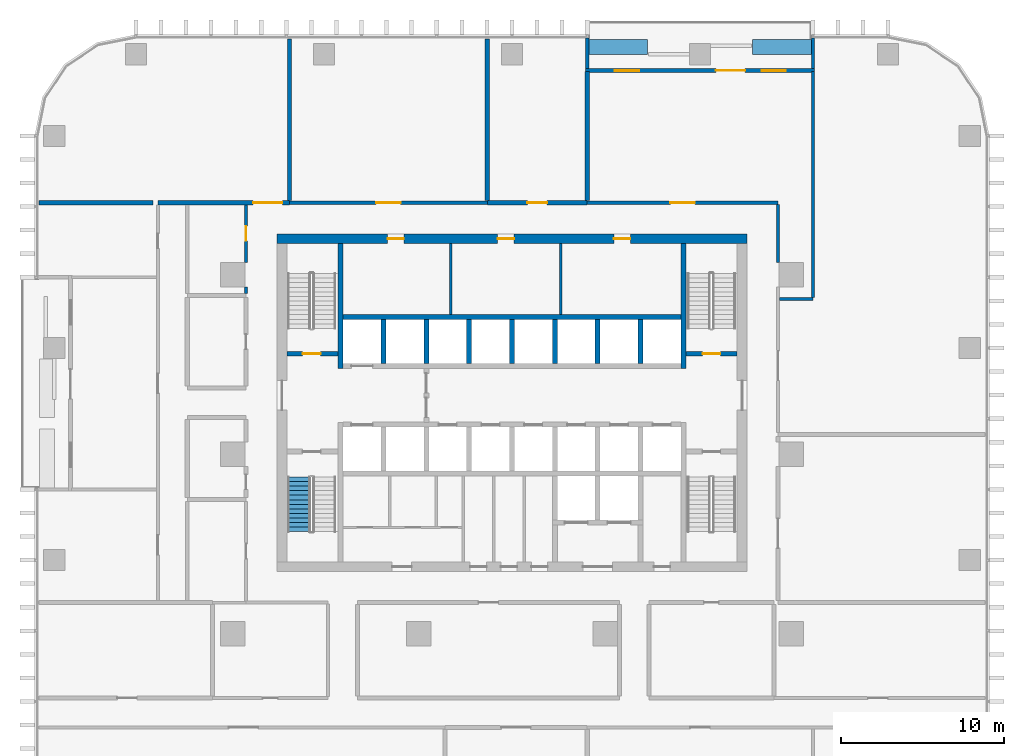
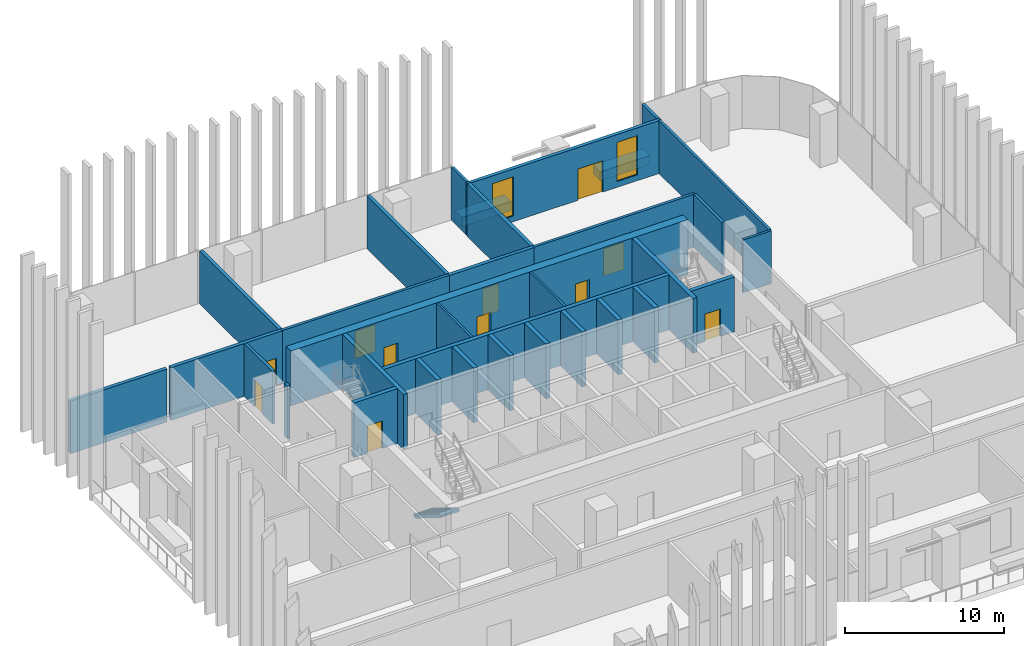
# One storey, part 10 of 17: 33 walls, 11 doors, 2 windows, 1 stair flight, 13 openings, 1 element without a shape of its own.
"""IFC4 building model written with IfcOpenShell, lengths in metres."""

import ifcopenshell
import ifcopenshell.guid

model = None  # the IFC model being written
_history = None  # IfcOwnerHistory: only IFC2X3 demands one
_inside = {}  # id of a spatial element -> (the spatial element, [elements in it])
_under = {}  # id of a project, library or spatial element -> (it, [spatial elements below it])
_declared = {}  # id of a project -> (the project, [libraries it declares])
_typed = {}  # id of a type object -> (the type object, [elements of that type])
_made_of = {}  # id of a material, layer set ... -> (it, [elements and type objects made of it])


def new_model(schema):
    """Start an empty IFC model of exactly this schema.

    Asked for "IFC4X3", IfcOpenShell would pick the latest addendum, in which some entities
    have other attributes; the version numbers below select the first issue.
    IFC2X3 requires an IfcOwnerHistory on every rooted entity: one is made here for all.
    """
    global model, _history
    if schema == "IFC4X3":
        model = ifcopenshell.file(schema_version=(4, 3, 0, 0))
    else:
        model = ifcopenshell.file(schema=schema)
    _inside.clear()
    _under.clear()
    _declared.clear()
    _typed.clear()
    _made_of.clear()
    _history = None
    if model.schema == "IFC2X3":
        org = make("IfcOrganization", Name="unknown")
        user = make(
            "IfcPersonAndOrganization",
            ThePerson=make("IfcPerson", FamilyName="unknown"),
            TheOrganization=org,
        )
        app = make(
            "IfcApplication",
            ApplicationDeveloper=org,
            Version="unknown",
            ApplicationFullName="unknown",
            ApplicationIdentifier="unknown",
        )
        _history = make(
            "IfcOwnerHistory",
            OwningUser=user,
            OwningApplication=app,
            ChangeAction="ADDED",
            CreationDate=0,
        )
    return model


def make(cls, **values):
    """One entity of the class cls with the attributes given. An attribute that is None is left unset."""
    return model.create_entity(
        cls, **{name: value for name, value in values.items() if value is not None}
    )


def rooted(cls, **values):
    """An entity with a GlobalId (a new one), such as an element, a storey or a relation."""
    return make(cls, GlobalId=ifcopenshell.guid.new(), OwnerHistory=_history, **values)


def si_unit(unit_type, name, prefix=None):
    """IfcSIUnit, for example si_unit("LENGTHUNIT", "METRE", prefix="MILLI")."""
    return make("IfcSIUnit", UnitType=unit_type, Prefix=prefix, Name=name)


def assignment(units):
    """IfcUnitAssignment: the units of a project."""
    return None if units is None else make("IfcUnitAssignment", Units=units)


def point(xyz):
    """IfcCartesianPoint."""
    return None if xyz is None else make("IfcCartesianPoint", Coordinates=xyz)


def direction(xyz):
    """IfcDirection."""
    return None if xyz is None else make("IfcDirection", DirectionRatios=xyz)


def frame(location, z_axis=None, x_axis=None):
    """IfcAxis2Placement3D, a coordinate frame: its origin and axes. An axis left out is left unset."""
    return make(
        "IfcAxis2Placement3D",
        Location=point(location),
        Axis=direction(z_axis),
        RefDirection=direction(x_axis),
    )


def frame_2d(location, x_axis=None):
    """IfcAxis2Placement2D, a coordinate frame in the plane: its origin and x axis."""
    return make(
        "IfcAxis2Placement2D", Location=point(location), RefDirection=direction(x_axis)
    )


def origin():
    """The frame at (0, 0, 0) with its axes left unset."""
    return frame((0.0, 0.0, 0.0))


def place(relative_to, where):
    """IfcLocalPlacement: puts the frame where relative to a parent placement (None: the world)."""
    return make(
        "IfcLocalPlacement", PlacementRelTo=relative_to, RelativePlacement=where
    )


def context(
    kind, dimensions, precision=None, world=None, true_north=None, identifier=None
):
    """IfcGeometricRepresentationContext, for example the 3D "Model" context."""
    return make(
        "IfcGeometricRepresentationContext",
        ContextIdentifier=identifier,
        ContextType=kind,
        CoordinateSpaceDimension=dimensions,
        Precision=precision,
        WorldCoordinateSystem=world,
        TrueNorth=true_north,
    )


def subcontext(parent, identifier, kind, view, scale=None):
    """IfcGeometricRepresentationSubContext, for example "Body" below "Model"."""
    return make(
        "IfcGeometricRepresentationSubContext",
        ContextIdentifier=identifier,
        ContextType=kind,
        ParentContext=parent,
        TargetScale=scale,
        TargetView=view,
    )


def project(units=None, contexts=None):
    """IfcProject with its units and contexts."""
    return rooted(
        "IfcProject",
        Name="project",
        RepresentationContexts=contexts,
        UnitsInContext=assignment(units),
    )


def spatial(cls, under=None, at=None, **own):
    """A site, building, storey or space (cls), placed at a placement, below another one or the project."""
    s = rooted(cls, ObjectPlacement=at, **own)
    if under is not None:
        _under.setdefault(under.id(), (under, []))[1].append(s)
    return s


def polyline(points):
    """IfcPolyline through the points."""
    return make("IfcPolyline", Points=[point(p) for p in points])


def profile(cls, at=None, kind="AREA", **sizes):
    """A parametric profile (cls). Its sizes go by their IFC names, for example OverallWidth=200.0."""
    return make(cls, ProfileType=kind, Position=at, **sizes)


def rectangle(**sizes):
    """IfcRectangleProfileDef."""
    return profile("IfcRectangleProfileDef", **sizes)


def outline(outer, holes=None, kind="AREA"):
    """IfcArbitraryClosedProfileDef: a profile drawn as a closed curve; with holes, ...WithVoids."""
    if holes is None:
        return make("IfcArbitraryClosedProfileDef", ProfileType=kind, OuterCurve=outer)
    return make(
        "IfcArbitraryProfileDefWithVoids",
        ProfileType=kind,
        OuterCurve=outer,
        InnerCurves=holes,
    )


def extrude(swept, where, along, depth):
    """IfcExtrudedAreaSolid: the profile swept, set in the frame where, extruded along a direction by depth."""
    return make(
        "IfcExtrudedAreaSolid",
        SweptArea=swept,
        Position=where,
        ExtrudedDirection=direction(along),
        Depth=depth,
    )


def shape(context_of_items, identifier, shape_type, items):
    """IfcShapeRepresentation: the items that make up one representation, for example the "Body"."""
    return make(
        "IfcShapeRepresentation",
        ContextOfItems=context_of_items,
        RepresentationIdentifier=identifier,
        RepresentationType=shape_type,
        Items=items,
    )


def material(Name=None, Category=None):
    """IfcMaterial."""
    return make("IfcMaterial", Name=Name, Category=Category)


def layer(
    of_material, thickness, ventilated=None, Name=None, Category=None, Priority=None
):
    """IfcMaterialLayer: one layer of a wall or slab, of a material (None: an air gap)."""
    return make(
        "IfcMaterialLayer",
        Material=of_material,
        LayerThickness=thickness,
        IsVentilated=ventilated,
        Name=Name,
        Category=Category,
        Priority=Priority,
    )


def layer_set(layers, Name=None):
    """IfcMaterialLayerSet."""
    return make("IfcMaterialLayerSet", MaterialLayers=layers, LayerSetName=Name)


def made_of(thing, what):
    """Note that an element or type object is made of a material, layer set ...; save() writes the relation."""
    if what is not None:
        _made_of.setdefault(what.id(), (what, []))[1].append(thing)
    return thing


def type_object(cls, material=None, **own):
    """A type object (cls), such as IfcWallType, which elements share."""
    return made_of(rooted(cls, **own), material)


def element(
    cls,
    number,
    at=None,
    inside=None,
    cuts=None,
    type_object=None,
    material=None,
    context=None,
    identifier="Body",
    shape_type=None,
    held_by="IfcProductDefinitionShape",
    body=None,
    shapes=None,
    **own,
):
    """One element of the class cls, such as IfcWall. Its Tag is "e" and its number.

    at: its placement. inside: the storey or other place that contains it. cuts: it is an
    opening in that element (IfcRelVoidsElement). A single representation is given by context,
    identifier, shape_type and body (its items); several are given by shapes. held_by: the class
    of the entity that holds the representations. save() writes the other relations.
    """
    e = rooted(cls, Tag="e%d" % number, ObjectPlacement=at, **own)
    if body is not None:
        shapes = [shape(context, identifier, shape_type, body)]
    if shapes is not None:
        e.Representation = make(held_by, Representations=shapes)
    if inside is not None:
        _inside.setdefault(inside.id(), (inside, []))[1].append(e)
    if cuts is not None:
        rooted(
            "IfcRelVoidsElement", RelatingBuildingElement=cuts, RelatedOpeningElement=e
        )
    if type_object is not None:
        _typed.setdefault(type_object.id(), (type_object, []))[1].append(e)
    return made_of(e, material)


def fill(opening, filler):
    """IfcRelFillsElement: the door or window that sits in an opening."""
    return rooted(
        "IfcRelFillsElement",
        RelatingOpeningElement=opening,
        RelatedBuildingElement=filler,
    )


def aggregate(whole, parts):
    """IfcRelAggregates: a whole, such as a stair, and the parts it consists of."""
    return rooted("IfcRelAggregates", RelatingObject=whole, RelatedObjects=parts)


def save(model, path):
    """Write the relations noted so far, then the file.

    IfcRelAggregates (storeys below a building ...), IfcRelContainedInSpatialStructure (elements
    in a storey), IfcRelDefinesByType, IfcRelAssociatesMaterial and IfcRelDeclares: one each for
    every whole, place, type object, material and project.
    """
    for whole, parts in _under.values():
        aggregate(whole, parts)
    for where, things in _inside.values():
        rooted(
            "IfcRelContainedInSpatialStructure",
            RelatedElements=things,
            RelatingStructure=where,
        )
    for kind, things in _typed.values():
        rooted("IfcRelDefinesByType", RelatedObjects=things, RelatingType=kind)
    for what, things in _made_of.values():
        rooted("IfcRelAssociatesMaterial", RelatedObjects=things, RelatingMaterial=what)
    for by, libraries in _declared.values():
        rooted("IfcRelDeclares", RelatingContext=by, RelatedDefinitions=libraries)
    model.write(path)


model = new_model("IFC4")

# Units and contexts
model_context = context("Model", 3, precision=1e-05, world=origin(), true_north=direction((0.0, 1.0)))
body_context = subcontext(model_context, "Body", "Model", "MODEL_VIEW")
ifc_project = project(units=[si_unit("LENGTHUNIT", "METRE"), si_unit("AREAUNIT", "SQUARE_METRE"), si_unit("VOLUMEUNIT", "CUBIC_METRE"), si_unit("PLANEANGLEUNIT", "RADIAN"), si_unit("MASSUNIT", "GRAM", prefix="KILO")], contexts=[model_context])

# Site, building, storey
site_placement = place(None, origin())
site = spatial("IfcSite", under=ifc_project, at=site_placement, CompositionType="ELEMENT")
building_placement = place(site_placement, origin())
building = spatial("IfcBuilding", under=site, at=building_placement, Name="Mopane Tessera Tower", CompositionType="ELEMENT")
storey_placement = place(building_placement, frame((0.0, 0.0, 108.10009765625)))
storey = spatial("IfcBuildingStorey", under=building, at=storey_placement, Name="L21", CompositionType="ELEMENT", Elevation=108.10009765625)

# Walls
ifc_material_1 = material(Name="Fire-rated gypsum board partition")
ifc_layer_1 = layer(ifc_material_1, 0.14990234375)
ifc_layer_set_1 = layer_set([ifc_layer_1], Name="Fire-rated gypsum board partition")
wall_type_1 = type_object("IfcWallType", Name="Core room partition 150 mm", PredefinedType="PARTITIONING", material=ifc_layer_set_1)
for number, where, z_axis, x_axis, name in (
    (1, (-3.75, 8.550048828125, 0.0), (0.0, 0.0, 1.0), (0.0, 1.0, 0.0), "L21 Room partition"),
    (2, (3.0, 8.550048828125, 0.0), (0.0, 0.0, 1.0), (0.0, 1.0, 0.0), "L21 Room partition"),
):
    element("IfcWall", number, at=place(storey_placement, frame(where, z_axis=z_axis, x_axis=x_axis)), inside=storey, type_object=wall_type_1, Name=name, PredefinedType="PARTITIONING", context=body_context, shape_type="SweptSolid", body=[
        extrude(rectangle(XDim=4.349853515625, YDim=0.14990234375, at=frame_2d((2.1748046875, 0.0))), origin(), (0.0, 0.0, 1.0), 4.199951171875),
    ])

# Wall, openings, doors
ifc_material_2 = material(Name="Concrete C70/85", Category="concrete")
ifc_layer_2 = layer(ifc_material_2, 0.60009765625)
ifc_layer_set_2 = layer_set([ifc_layer_2], Name="Concrete C70/85")
wall_type_2 = type_object("IfcWallType", Name="Core shear wall 600 mm", PredefinedType="SHEAR", material=ifc_layer_set_2)
wall_1_placement = place(storey_placement, frame((-14.39990234375, 13.199951171875, 0.0), z_axis=(0.0, 0.0, 1.0), x_axis=(1.0, 0.0, 0.0)))
wall_1 = element("IfcWall", 3, at=wall_1_placement, inside=storey, type_object=wall_type_2, Name="L21 Core wall north", PredefinedType="SHEAR", context=body_context, shape_type="SweptSolid", body=[
    extrude(rectangle(XDim=28.7998046875, YDim=0.60009765625, at=frame_2d((14.39990234375, 0.0))), origin(), (0.0, 0.0, 1.0), 4.199951171875),
])
opening_1_placement = place(wall_1_placement, frame((6.77490234375, 0.0, 0.0)))
opening_1 = element("IfcOpeningElement", 4, at=opening_1_placement, cuts=wall_1, Name="Opening RD1", PredefinedType="OPENING", context=body_context, shape_type="SweptSolid", body=[
    extrude(rectangle(XDim=1.0, YDim=2.10009765625, at=frame_2d((0.5, 1.050048828125))), frame((0.0, 0.31201171875, 0.0), z_axis=(0.0, -1.0, 0.0), x_axis=(1.0, 0.0, 0.0)), (0.0, 0.0, 1.0), 0.6240234375),
])
opening_2_placement = place(wall_1_placement, frame((13.52490234375, 0.0, 0.0)))
opening_2 = element("IfcOpeningElement", 5, at=opening_2_placement, cuts=wall_1, Name="Opening RD1", PredefinedType="OPENING", context=body_context, shape_type="SweptSolid", body=[
    extrude(rectangle(XDim=1.0, YDim=2.10009765625, at=frame_2d((0.5, 1.050048828125))), frame((0.0, 0.31201171875, 0.0), z_axis=(0.0, -1.0, 0.0), x_axis=(1.0, 0.0, 0.0)), (0.0, 0.0, 1.0), 0.6240234375),
])
opening_3_placement = place(wall_1_placement, frame((20.64990234375, 0.0, 0.0)))
opening_3 = element("IfcOpeningElement", 6, at=opening_3_placement, cuts=wall_1, Name="Opening RD1", PredefinedType="OPENING", context=body_context, shape_type="SweptSolid", body=[
    extrude(rectangle(XDim=1.0, YDim=2.10009765625, at=frame_2d((0.5, 1.050048828125))), frame((0.0, 0.31201171875, 0.0), z_axis=(0.0, -1.0, 0.0), x_axis=(1.0, 0.0, 0.0)), (0.0, 0.0, 1.0), 0.6240234375),
])
ifc_material_3 = material(Name="Timber door", Category="wood")
door_type_1 = type_object("IfcDoorType", Name="Core room door 1000 x 2100", OperationType="SINGLE_SWING_LEFT", PredefinedType="DOOR", material=ifc_material_3)
door_1_placement = place(opening_1_placement, origin())
door_1 = element("IfcDoor", 7, at=door_1_placement, inside=storey, type_object=door_type_1, Name="L21 Room door", OperationType="SINGLE_SWING_LEFT", OverallHeight=2.10009765625, OverallWidth=1.0, PredefinedType="DOOR", context=body_context, shape_type="SweptSolid", body=[
    extrude(rectangle(XDim=1.0, YDim=2.10009765625, at=frame_2d((0.5, 1.050048828125))), frame((0.0, 0.02490234375, 0.0), z_axis=(0.0, -1.0, 0.0), x_axis=(1.0, 0.0, 0.0)), (0.0, 0.0, 1.0), 0.050048828125),
])
fill(opening_1, door_1)
door_2_placement = place(opening_2_placement, origin())
door_2 = element("IfcDoor", 8, at=door_2_placement, inside=storey, type_object=door_type_1, Name="L21 Room door", OperationType="SINGLE_SWING_LEFT", OverallHeight=2.10009765625, OverallWidth=1.0, PredefinedType="DOOR", context=body_context, shape_type="SweptSolid", body=[
    extrude(rectangle(XDim=1.0, YDim=2.10009765625, at=frame_2d((0.5, 1.050048828125))), frame((0.0, 0.02490234375, 0.0), z_axis=(0.0, -1.0, 0.0), x_axis=(1.0, 0.0, 0.0)), (0.0, 0.0, 1.0), 0.050048828125),
])
fill(opening_2, door_2)
door_3_placement = place(opening_3_placement, origin())
door_3 = element("IfcDoor", 9, at=door_3_placement, inside=storey, type_object=door_type_1, Name="L21 Room door", OperationType="SINGLE_SWING_LEFT", OverallHeight=2.10009765625, OverallWidth=1.0, PredefinedType="DOOR", context=body_context, shape_type="SweptSolid", body=[
    extrude(rectangle(XDim=1.0, YDim=2.10009765625, at=frame_2d((0.5, 1.050048828125))), frame((0.0, 0.02490234375, 0.0), z_axis=(0.0, -1.0, 0.0), x_axis=(1.0, 0.0, 0.0)), (0.0, 0.0, 1.0), 0.050048828125),
])
fill(opening_3, door_3)

# Walls
ifc_material_4 = material(Name="Concrete C60/75", Category="concrete")
ifc_layer_3 = layer(ifc_material_4, 0.300048828125)
ifc_layer_set_3 = layer_set([ifc_layer_3], Name="Concrete C60/75")
wall_type_3 = type_object("IfcWallType", Name="Core spine wall 300 mm", PredefinedType="SHEAR", material=ifc_layer_set_3)
for number, where, z_axis, x_axis, name in (
    (10, (-10.5, 5.25, 0.0), (0.0, 0.0, 1.0), (0.0, 1.0, 0.0), "L21 Core spine wall"),
    (11, (10.5, 5.25, 0.0), (0.0, 0.0, 1.0), (0.0, 1.0, 0.0), "L21 Core spine wall"),
):
    element("IfcWall", number, at=place(storey_placement, frame(where, z_axis=z_axis, x_axis=x_axis)), inside=storey, type_object=wall_type_3, Name=name, PredefinedType="SHEAR", context=body_context, shape_type="SweptSolid", body=[
        extrude(rectangle(XDim=7.64990234375, YDim=0.300048828125, at=frame_2d((3.824951171875, 0.0))), origin(), (0.0, 0.0, 1.0), 4.199951171875),
    ])
ifc_material_5 = material(Name="Gypsum board on staggered steel studs, double layer each face, acoustic mineral wool infill", Category="steel")
ifc_layer_4 = layer(ifc_material_5, 0.175048828125)
ifc_layer_set_4 = layer_set([ifc_layer_4], Name="Gypsum board on staggered steel studs, double layer each face, acoustic mineral wool infill")
wall_type_4 = type_object("IfcWallType", Name="Gypsum board acoustic partition 175, rated EI 60", PredefinedType="PARTITIONING", material=ifc_layer_set_4)
wall_2_placement = place(storey_placement, frame((16.39990234375, 9.5, 0.0), z_axis=(0.0, 0.0, 1.0), x_axis=(1.0, 0.0, 0.0)))
element("IfcWall", 12, at=wall_2_placement, inside=storey, type_object=wall_type_4, Name="Partition L21:019", PredefinedType="PARTITIONING", context=body_context, shape_type="SweptSolid", body=[
    extrude(rectangle(XDim=2.0400390625, YDim=0.175048828125, at=frame_2d((1.02001953125, 0.0))), origin(), (0.0, 0.0, 1.0), 4.0498046875),
])
wall_3_placement = place(storey_placement, frame((18.43994140625, 9.587890625, 0.0), z_axis=(0.0, 0.0, 1.0), x_axis=(0.0, 1.0, 0.0)))
element("IfcWall", 13, at=wall_3_placement, inside=storey, type_object=wall_type_4, Name="Partition L21:054", PredefinedType="PARTITIONING", context=body_context, shape_type="SweptSolid", body=[
    extrude(rectangle(XDim=13.862060546875, YDim=0.175048828125, at=frame_2d((6.93115234375, 0.0))), origin(), (0.0, 0.0, 1.0), 4.0498046875),
])

# Wall, opening, door
ifc_material_6 = material(Name="Gypsum board on steel studs, two layers each face, mineral wool infill", Category="steel")
ifc_layer_5 = layer(ifc_material_6, 0.199951171875)
ifc_layer_set_5 = layer_set([ifc_layer_5], Name="Gypsum board on steel studs, two layers each face, mineral wool infill")
wall_type_5 = type_object("IfcWallType", Name="Gypsum board corridor wall 200, rated EI 60", PredefinedType="PARTITIONING", material=ifc_layer_set_5)
wall_4_placement = place(storey_placement, frame((-13.639892578125, 15.39990234375, 0.0), z_axis=(0.0, 0.0, 1.0), x_axis=(1.0, 0.0, 0.0)))
wall_4 = element("IfcWall", 14, at=wall_4_placement, inside=storey, type_object=wall_type_5, Name="Partition L21:022", PredefinedType="PARTITIONING", context=body_context, shape_type="SweptSolid", body=[
    extrude(rectangle(XDim=12.125, YDim=0.199951171875, at=frame_2d((6.0625, 0.0))), origin(), (0.0, 0.0, 1.0), 4.0498046875),
])
opening_4_placement = place(wall_4_placement, frame((5.3125, 0.0, 0.0)))
opening_4 = element("IfcOpeningElement", 15, at=opening_4_placement, cuts=wall_4, Name="Opening L21-20", PredefinedType="OPENING", context=body_context, shape_type="SweptSolid", body=[
    extrude(rectangle(XDim=1.5, YDim=2.10009765625, at=frame_2d((0.75, 1.050048828125))), frame((0.0, 0.112060546875, 0.0), z_axis=(0.0, -1.0, 0.0), x_axis=(1.0, 0.0, 0.0)), (0.0, 0.0, 1.0), 0.223876953125),
])
ifc_material_7 = material(Name="Timber veneered steel-framed fire door", Category="steel")
door_type_2 = type_object("IfcDoorType", Name="Fire door pair FD60 1500 x 2100", OperationType="DOUBLE_DOOR_SINGLE_SWING", PredefinedType="DOOR", material=ifc_material_7)
door_4_placement = place(opening_4_placement, origin())
door_4 = element("IfcDoor", 16, at=door_4_placement, inside=storey, type_object=door_type_2, Name="Door L21-20", ObjectType="D17A", OperationType="DOUBLE_DOOR_SINGLE_SWING", OverallHeight=2.10009765625, OverallWidth=1.5, PredefinedType="DOOR", context=body_context, shape_type="SweptSolid", body=[
    extrude(rectangle(XDim=1.5, YDim=2.10009765625, at=frame_2d((0.75, 1.050048828125))), frame((0.0, 0.02490234375, 0.0), z_axis=(0.0, -1.0, 0.0), x_axis=(1.0, 0.0, 0.0)), (0.0, 0.0, 1.0), 0.050048828125),
])
fill(opening_4, door_4)

wall_5_placement = place(storey_placement, frame((4.610107421875, 15.39990234375, 0.0), z_axis=(0.0, 0.0, 1.0), x_axis=(1.0, 0.0, 0.0)))
wall_5 = element("IfcWall", 17, at=wall_5_placement, inside=storey, type_object=wall_type_5, Name="Partition L21:023", PredefinedType="PARTITIONING", context=body_context, shape_type="SweptSolid", body=[
    extrude(rectangle(XDim=11.68994140625, YDim=0.199951171875, at=frame_2d((5.844970703125, 0.0))), origin(), (0.0, 0.0, 1.0), 4.0498046875),
])
opening_5_placement = place(wall_5_placement, frame((5.094970703125, 0.0, 0.0)))
opening_5 = element("IfcOpeningElement", 18, at=opening_5_placement, cuts=wall_5, Name="Opening L21-18", PredefinedType="OPENING", context=body_context, shape_type="SweptSolid", body=[
    extrude(rectangle(XDim=1.5, YDim=2.10009765625, at=frame_2d((0.75, 1.050048828125))), frame((0.0, 0.112060546875, 0.0), z_axis=(0.0, -1.0, 0.0), x_axis=(1.0, 0.0, 0.0)), (0.0, 0.0, 1.0), 0.223876953125),
])
door_5_placement = place(opening_5_placement, origin())
door_5 = element("IfcDoor", 19, at=door_5_placement, inside=storey, type_object=door_type_2, Name="Door L21-18", ObjectType="D17A", OperationType="DOUBLE_DOOR_SINGLE_SWING", OverallHeight=2.10009765625, OverallWidth=1.5, PredefinedType="DOOR", context=body_context, shape_type="SweptSolid", body=[
    extrude(rectangle(XDim=1.5, YDim=2.10009765625, at=frame_2d((0.75, 1.050048828125))), frame((0.0, 0.02490234375, 0.0), z_axis=(0.0, -1.0, 0.0), x_axis=(1.0, 0.0, 0.0)), (0.0, 0.0, 1.0), 0.050048828125),
])
fill(opening_5, door_5)

# Wall
wall_6_placement = place(storey_placement, frame((-16.300048828125, 9.85009765625, 0.0), z_axis=(0.0, 0.0, 1.0), x_axis=(0.0, 1.0, 0.0)))
element("IfcWall", 20, at=wall_6_placement, inside=storey, type_object=wall_type_5, Name="Partition L21:034", PredefinedType="PARTITIONING", context=body_context, shape_type="SweptSolid", body=[
    extrude(rectangle(XDim=0.39990234375, YDim=0.199951171875, at=frame_2d((0.199951171875, 0.0))), origin(), (0.0, 0.0, 1.0), 4.0498046875),
])

# Wall, opening, door
wall_7_placement = place(storey_placement, frame((-16.300048828125, 11.75, 0.0), z_axis=(0.0, 0.0, 1.0), x_axis=(0.0, 1.0, 0.0)))
wall_7 = element("IfcWall", 21, at=wall_7_placement, inside=storey, type_object=wall_type_5, Name="Partition L21:035", PredefinedType="PARTITIONING", context=body_context, shape_type="SweptSolid", body=[
    extrude(rectangle(XDim=3.52490234375, YDim=0.199951171875, at=frame_2d((1.762451171875, 0.0))), origin(), (0.0, 0.0, 1.0), 4.0498046875),
])
opening_6_placement = place(wall_7_placement, frame((1.3125, 0.0, 0.0)))
opening_6 = element("IfcOpeningElement", 22, at=opening_6_placement, cuts=wall_7, Name="Opening L21-19", PredefinedType="OPENING", context=body_context, shape_type="SweptSolid", body=[
    extrude(rectangle(XDim=0.89990234375, YDim=2.10009765625, at=frame_2d((0.449951171875, 1.050048828125))), frame((0.0, 0.112060546875, 0.0), z_axis=(0.0, -1.0, 0.0), x_axis=(1.0, 0.0, 0.0)), (0.0, 0.0, 1.0), 0.223876953125),
])
ifc_material_8 = material(Name="Timber veneered steel-framed fire door", Category="steel")
door_type_3 = type_object("IfcDoorType", Name="Fire door FD60 900 x 2100", OperationType="SINGLE_SWING_LEFT", PredefinedType="DOOR", material=ifc_material_8)
door_6_placement = place(opening_6_placement, origin())
door_6 = element("IfcDoor", 23, at=door_6_placement, inside=storey, type_object=door_type_3, Name="Door L21-19", ObjectType="D10A", OperationType="SINGLE_SWING_RIGHT", OverallHeight=2.10009765625, OverallWidth=0.89990234375, PredefinedType="DOOR", context=body_context, shape_type="SweptSolid", body=[
    extrude(rectangle(XDim=0.89990234375, YDim=2.10009765625, at=frame_2d((0.449951171875, 1.050048828125))), frame((0.0, 0.02490234375, 0.0), z_axis=(0.0, -1.0, 0.0), x_axis=(1.0, 0.0, 0.0)), (0.0, 0.0, 1.0), 0.050048828125),
])
fill(opening_6, door_6)

# Wall
wall_8_placement = place(storey_placement, frame((16.300048828125, 11.75, 0.0), z_axis=(0.0, 0.0, 1.0), x_axis=(0.0, 1.0, 0.0)))
element("IfcWall", 24, at=wall_8_placement, inside=storey, type_object=wall_type_5, Name="Partition L21:050", PredefinedType="PARTITIONING", context=body_context, shape_type="SweptSolid", body=[
    extrude(rectangle(XDim=3.550048828125, YDim=0.199951171875, at=frame_2d((1.77490234375, 0.0))), origin(), (0.0, 0.0, 1.0), 4.0498046875),
])

# Wall, opening, door
ifc_material_9 = material(Name="Concrete C50/60", Category="concrete")
ifc_layer_6 = layer(ifc_material_9, 0.300048828125)
ifc_layer_set_6 = layer_set([ifc_layer_6], Name="Concrete C50/60")
wall_type_6 = type_object("IfcWallType", Name="Lift and stair shaft wall 300 mm", PredefinedType="SOLIDWALL", material=ifc_layer_set_6)
wall_9_placement = place(storey_placement, frame((-13.800048828125, 6.14990234375, 0.0), z_axis=(0.0, 0.0, 1.0), x_axis=(1.0, 0.0, 0.0)))
wall_9 = element("IfcWall", 25, at=wall_9_placement, inside=storey, type_object=wall_type_6, Name="L21 Stair enclosure wall", PredefinedType="SOLIDWALL", context=body_context, shape_type="SweptSolid", body=[
    extrude(rectangle(XDim=3.150146484375, YDim=0.300048828125, at=frame_2d((1.5751953125, 0.0))), origin(), (0.0, 0.0, 1.0), 4.199951171875),
])
opening_7_placement = place(wall_9_placement, frame((0.97509765625, 0.0, 0.0)))
opening_7 = element("IfcOpeningElement", 26, at=opening_7_placement, cuts=wall_9, Name="Opening SD1", PredefinedType="OPENING", context=body_context, shape_type="SweptSolid", body=[
    extrude(rectangle(XDim=1.10009765625, YDim=2.10009765625, at=frame_2d((0.550048828125, 1.050048828125))), frame((0.0, 0.162109375, 0.0), z_axis=(0.0, -1.0, 0.0), x_axis=(1.0, 0.0, 0.0)), (0.0, 0.0, 1.0), 0.323974609375),
])
ifc_material_10 = material(Name="Steel fire door", Category="steel")
door_type_4 = type_object("IfcDoorType", Name="Stair fire door 1100 x 2100", OperationType="SINGLE_SWING_LEFT", PredefinedType="DOOR", material=ifc_material_10)
door_7_placement = place(opening_7_placement, origin())
door_7 = element("IfcDoor", 27, at=door_7_placement, inside=storey, type_object=door_type_4, Name="L21 Stair door ST2", OperationType="SINGLE_SWING_LEFT", OverallHeight=2.10009765625, OverallWidth=1.10009765625, PredefinedType="DOOR", context=body_context, shape_type="SweptSolid", body=[
    extrude(rectangle(XDim=1.10009765625, YDim=2.10009765625, at=frame_2d((0.550048828125, 1.050048828125))), frame((0.0, 0.02490234375, 0.0), z_axis=(0.0, -1.0, 0.0), x_axis=(1.0, 0.0, 0.0)), (0.0, 0.0, 1.0), 0.050048828125),
])
fill(opening_7, door_7)

wall_10_placement = place(storey_placement, frame((10.64990234375, 6.14990234375, 0.0), z_axis=(0.0, 0.0, 1.0), x_axis=(1.0, 0.0, 0.0)))
wall_10 = element("IfcWall", 28, at=wall_10_placement, inside=storey, type_object=wall_type_6, Name="L21 Stair enclosure wall", PredefinedType="SOLIDWALL", context=body_context, shape_type="SweptSolid", body=[
    extrude(rectangle(XDim=3.150146484375, YDim=0.300048828125, at=frame_2d((1.5751953125, 0.0))), origin(), (0.0, 0.0, 1.0), 4.199951171875),
])
opening_8_placement = place(wall_10_placement, frame((1.02490234375, 0.0, 0.0)))
opening_8 = element("IfcOpeningElement", 29, at=opening_8_placement, cuts=wall_10, Name="Opening SD1", PredefinedType="OPENING", context=body_context, shape_type="SweptSolid", body=[
    extrude(rectangle(XDim=1.10009765625, YDim=2.10009765625, at=frame_2d((0.550048828125, 1.050048828125))), frame((0.0, 0.162109375, 0.0), z_axis=(0.0, -1.0, 0.0), x_axis=(1.0, 0.0, 0.0)), (0.0, 0.0, 1.0), 0.323974609375),
])
door_8_placement = place(opening_8_placement, origin())
door_8 = element("IfcDoor", 30, at=door_8_placement, inside=storey, type_object=door_type_4, Name="L21 Stair door ST4", OperationType="SINGLE_SWING_RIGHT", OverallHeight=2.10009765625, OverallWidth=1.10009765625, PredefinedType="DOOR", context=body_context, shape_type="SweptSolid", body=[
    extrude(rectangle(XDim=1.10009765625, YDim=2.10009765625, at=frame_2d((0.550048828125, 1.050048828125))), frame((0.0, 0.02490234375, 0.0), z_axis=(0.0, -1.0, 0.0), x_axis=(1.0, 0.0, 0.0)), (0.0, 0.0, 1.0), 0.050048828125),
])
fill(opening_8, door_8)

# Walls
wall_11_placement = place(storey_placement, frame((-10.35009765625, 8.39990234375, 0.0), z_axis=(0.0, 0.0, 1.0), x_axis=(1.0, 0.0, 0.0)))
element("IfcWall", 31, at=wall_11_placement, inside=storey, type_object=wall_type_6, Name="L21 Lift shaft rear wall", PredefinedType="SOLIDWALL", context=body_context, shape_type="SweptSolid", body=[
    extrude(rectangle(XDim=20.7001953125, YDim=0.300048828125, at=frame_2d((10.35009765625, 0.0))), origin(), (0.0, 0.0, 1.0), 4.199951171875),
])
for number, where, z_axis, x_axis, name in (
    (32, (-7.875, 5.550048828125, 0.0), (0.0, 0.0, 1.0), (0.0, 1.0, 0.0), "L21 Lift shaft wall"),
    (33, (-5.25, 5.550048828125, 0.0), (0.0, 0.0, 1.0), (0.0, 1.0, 0.0), "L21 Lift shaft wall"),
    (34, (-2.625, 5.550048828125, 0.0), (0.0, 0.0, 1.0), (0.0, 1.0, 0.0), "L21 Lift shaft wall"),
    (35, (0.0, 5.550048828125, 0.0), (0.0, 0.0, 1.0), (0.0, 1.0, 0.0), "L21 Lift shaft wall"),
    (36, (2.625, 5.550048828125, 0.0), (0.0, 0.0, 1.0), (0.0, 1.0, 0.0), "L21 Lift shaft wall"),
    (37, (5.25, 5.550048828125, 0.0), (0.0, 0.0, 1.0), (0.0, 1.0, 0.0), "L21 Lift shaft wall"),
    (38, (7.875, 5.550048828125, 0.0), (0.0, 0.0, 1.0), (0.0, 1.0, 0.0), "L21 Lift shaft wall"),
):
    element("IfcWall", number, at=place(storey_placement, frame(where, z_axis=z_axis, x_axis=x_axis)), inside=storey, type_object=wall_type_6, Name=name, PredefinedType="SOLIDWALL", context=body_context, shape_type="SweptSolid", body=[
        extrude(rectangle(XDim=2.699951171875, YDim=0.300048828125, at=frame_2d((1.35009765625, 0.0))), origin(), (0.0, 0.0, 1.0), 4.199951171875),
    ])
ifc_material_11 = material(Name="Reinforced concrete C32/40 with waterproofing", Category="concrete")
ifc_layer_7 = layer(ifc_material_11, 0.89990234375)
ifc_layer_set_7 = layer_set([ifc_layer_7], Name="Reinforced concrete C32/40 with waterproofing")
wall_type_7 = type_object("IfcWallType", Name="Planter trough 3600 x 900", PredefinedType="STANDARD", material=ifc_layer_set_7)
for number, where, z_axis, x_axis, name in (
    (39, (18.340087890625, 24.949951171875, 0.0), (0.0, 0.0, 1.0), (-1.0, 0.0, 0.0), "e:nw:L21:N1:pl0"),
    (40, (8.31005859375, 24.949951171875, 0.0), (0.0, 0.0, 1.0), (-1.0, 0.0, 0.0), "e:nw:L21:N1:pl1"),
):
    element("IfcWall", number, at=place(storey_placement, frame(where, z_axis=z_axis, x_axis=x_axis)), inside=storey, type_object=wall_type_7, Name=name, PredefinedType="STANDARD", context=body_context, shape_type="SweptSolid", body=[
        extrude(rectangle(XDim=3.60009765625, YDim=0.89990234375, at=frame_2d((1.800048828125, 0.0))), origin(), (0.0, 0.0, 1.0), 0.699951171875),
    ])
ifc_material_12 = material(Name="Plastered concrete blockwork C20/25", Category="masonry")
ifc_layer_8 = layer(ifc_material_12, 0.25)
ifc_layer_set_8 = layer_set([ifc_layer_8], Name="Plastered concrete blockwork C20/25")
wall_type_8 = type_object("IfcWallType", Name="Plastered blockwork wall 250, rated EI 120", PredefinedType="PARTITIONING", material=ifc_layer_set_8)
wall_12_placement = place(storey_placement, frame((-29.0, 15.39990234375, 0.0), z_axis=(0.0, 0.0, 1.0), x_axis=(1.0, 0.0, 0.0)))
element("IfcWall", 41, at=wall_12_placement, inside=storey, type_object=wall_type_8, Name="Partition L21:024", PredefinedType="PARTITIONING", context=body_context, shape_type="SweptSolid", body=[
    extrude(rectangle(XDim=7.014892578125, YDim=0.25, at=frame_2d((3.50732421875, 0.0))), origin(), (0.0, 0.0, 1.0), 4.0498046875),
])

# Wall, opening, door
wall_13_placement = place(storey_placement, frame((-21.699951171875, 15.39990234375, 0.0), z_axis=(0.0, 0.0, 1.0), x_axis=(1.0, 0.0, 0.0)))
wall_13 = element("IfcWall", 42, at=wall_13_placement, inside=storey, type_object=wall_type_8, Name="Partition L21:025", PredefinedType="PARTITIONING", context=body_context, shape_type="SweptSolid", body=[
    extrude(rectangle(XDim=8.06005859375, YDim=0.25, at=frame_2d((4.030029296875, 0.0))), origin(), (0.0, 0.0, 1.0), 4.0498046875),
])
opening_9_placement = place(wall_13_placement, frame((5.830078125, 0.0, 0.0)))
opening_9 = element("IfcOpeningElement", 43, at=opening_9_placement, cuts=wall_13, Name="Opening L21-12", PredefinedType="OPENING", context=body_context, shape_type="SweptSolid", body=[
    extrude(rectangle(XDim=1.800048828125, YDim=2.10009765625, at=frame_2d((0.89990234375, 1.050048828125))), frame((0.0, 0.136962890625, 0.0), z_axis=(0.0, -1.0, 0.0), x_axis=(1.0, 0.0, 0.0)), (0.0, 0.0, 1.0), 0.27392578125),
])
ifc_material_13 = material(Name="Timber veneered steel-framed fire door", Category="steel")
door_type_5 = type_object("IfcDoorType", Name="Fire door pair FD120 1800 x 2100", OperationType="DOUBLE_DOOR_SINGLE_SWING", PredefinedType="DOOR", material=ifc_material_13)
door_9_placement = place(opening_9_placement, origin())
door_9 = element("IfcDoor", 44, at=door_9_placement, inside=storey, type_object=door_type_5, Name="Door L21-12", ObjectType="D20B", OperationType="DOUBLE_DOOR_SINGLE_SWING", OverallHeight=2.10009765625, OverallWidth=1.800048828125, PredefinedType="DOOR", context=body_context, shape_type="SweptSolid", body=[
    extrude(rectangle(XDim=1.800048828125, YDim=2.10009765625, at=frame_2d((0.89990234375, 1.050048828125))), frame((0.0, 0.02490234375, 0.0), z_axis=(0.0, -1.0, 0.0), x_axis=(1.0, 0.0, 0.0)), (0.0, 0.0, 1.0), 0.050048828125),
])
fill(opening_9, door_9)

wall_14_placement = place(storey_placement, frame((-1.514892578125, 15.39990234375, 0.0), z_axis=(0.0, 0.0, 1.0), x_axis=(1.0, 0.0, 0.0)))
wall_14 = element("IfcWall", 45, at=wall_14_placement, inside=storey, type_object=wall_type_8, Name="Partition L21:026", PredefinedType="PARTITIONING", context=body_context, shape_type="SweptSolid", body=[
    extrude(rectangle(XDim=6.125, YDim=0.25, at=frame_2d((3.0625, 0.0))), origin(), (0.0, 0.0, 1.0), 4.0498046875),
])
opening_10_placement = place(wall_14_placement, frame((2.46240234375, 0.0, 0.0)))
opening_10 = element("IfcOpeningElement", 46, at=opening_10_placement, cuts=wall_14, Name="Opening L21-02", PredefinedType="OPENING", context=body_context, shape_type="SweptSolid", body=[
    extrude(rectangle(XDim=1.199951171875, YDim=2.10009765625, at=frame_2d((0.60009765625, 1.050048828125))), frame((0.0, 0.136962890625, 0.0), z_axis=(0.0, -1.0, 0.0), x_axis=(1.0, 0.0, 0.0)), (0.0, 0.0, 1.0), 0.27392578125),
])
ifc_material_14 = material(Name="Timber veneered steel-framed fire door", Category="steel")
door_type_6 = type_object("IfcDoorType", Name="Fire door FD120 1200 x 2100", OperationType="SINGLE_SWING_LEFT", PredefinedType="DOOR", material=ifc_material_14)
door_10_placement = place(opening_10_placement, origin())
door_10 = element("IfcDoor", 47, at=door_10_placement, inside=storey, type_object=door_type_6, Name="Door L21-02", ObjectType="D15B", OperationType="SINGLE_SWING_RIGHT", OverallHeight=2.10009765625, OverallWidth=1.199951171875, PredefinedType="DOOR", context=body_context, shape_type="SweptSolid", body=[
    extrude(rectangle(XDim=1.199951171875, YDim=2.10009765625, at=frame_2d((0.60009765625, 1.050048828125))), frame((0.0, 0.02490234375, 0.0), z_axis=(0.0, -1.0, 0.0), x_axis=(1.0, 0.0, 0.0)), (0.0, 0.0, 1.0), 0.050048828125),
])
fill(opening_10, door_10)

# Walls
for number, where, z_axis, x_axis, name in (
    (48, (-13.639892578125, 15.52490234375, 0.0), (0.0, 0.0, 1.0), (0.0, 1.0, 0.0), "Partition L21:039"),
    (49, (-1.514892578125, 15.52490234375, 0.0), (0.0, 0.0, 1.0), (0.0, 1.0, 0.0), "Partition L21:043"),
):
    element("IfcWall", number, at=place(storey_placement, frame(where, z_axis=z_axis, x_axis=x_axis)), inside=storey, type_object=wall_type_8, Name=name, PredefinedType="PARTITIONING", context=body_context, shape_type="SweptSolid", body=[
        extrude(rectangle(XDim=9.925048828125, YDim=0.25, at=frame_2d((4.96240234375, 0.0))), origin(), (0.0, 0.0, 1.0), 4.0498046875),
    ])
wall_15_placement = place(storey_placement, frame((4.610107421875, 15.52490234375, 0.0), z_axis=(0.0, 0.0, 1.0), x_axis=(0.0, 1.0, 0.0)))
element("IfcWall", 50, at=wall_15_placement, inside=storey, type_object=wall_type_8, Name="Partition L21:045", PredefinedType="PARTITIONING", context=body_context, shape_type="SweptSolid", body=[
    extrude(rectangle(XDim=7.925048828125, YDim=0.25, at=frame_2d((3.96240234375, 0.0))), origin(), (0.0, 0.0, 1.0), 4.0498046875),
])
ifc_material_15 = material(Name="Blockwork with glazed tile facing", Category="masonry")
ifc_layer_9 = layer(ifc_material_15, 0.199951171875)
ifc_layer_set_9 = layer_set([ifc_layer_9], Name="Blockwork with glazed tile facing")
wall_type_9 = type_object("IfcWallType", Name="Terrace cheek wall 200", PredefinedType="STANDARD", material=ifc_layer_set_9)
for number, where, z_axis, x_axis, name in (
    (51, (18.43994140625, 25.5, 0.0), (0.0, 0.0, 1.0), (0.0, -1.0, 0.0), "e:nw:L21:N1:cheeka"),
    (52, (4.610107421875, 25.5, 0.0), (0.0, 0.0, 1.0), (0.0, -1.0, 0.0), "e:nw:L21:N1:cheekb"),
):
    element("IfcWall", number, at=place(storey_placement, frame(where, z_axis=z_axis, x_axis=x_axis)), inside=storey, type_object=wall_type_9, Name=name, PredefinedType="STANDARD", context=body_context, shape_type="SweptSolid", body=[
        extrude(rectangle(XDim=1.875, YDim=0.199951171875, at=frame_2d((0.9375, 0.0))), origin(), (0.0, 0.0, 1.0), 4.0498046875),
    ])

# Wall, openings, windows, door
ifc_material_16 = material(Name="Blockwork with turquoise glazed tile facing", Category="masonry")
ifc_layer_10 = layer(ifc_material_16, 0.25)
ifc_layer_set_10 = layer_set([ifc_layer_10], Name="Blockwork with turquoise glazed tile facing")
wall_type_10 = type_object("IfcWallType", Name="Tile-clad external wall 250, turquoise", PredefinedType="STANDARD", material=ifc_layer_set_10)
wall_16_placement = place(storey_placement, frame((18.5400390625, 23.5, 0.0), z_axis=(0.0, 0.0, 1.0), x_axis=(-1.0, 0.0, 0.0)))
wall_16 = element("IfcWall", 53, at=wall_16_placement, inside=storey, type_object=wall_type_10, Name="e:nw:L21:N1:back", PredefinedType="STANDARD", context=body_context, shape_type="SweptSolid", body=[
    extrude(rectangle(XDim=14.030029296875, YDim=0.25, at=frame_2d((7.01513671875, 0.0))), origin(), (0.0, 0.0, 1.0), 4.0498046875),
])
opening_11_placement = place(wall_16_placement, frame((1.75, 0.0, 0.449951171875)))
opening_11 = element("IfcOpeningElement", 54, at=opening_11_placement, cuts=wall_16, Name="Opening NW211A", PredefinedType="OPENING", context=body_context, shape_type="SweptSolid", body=[
    extrude(rectangle(XDim=1.5, YDim=3.0, at=frame_2d((0.75, 1.5))), frame((0.0, 0.136962890625, 0.0), z_axis=(0.0, -1.0, 0.0), x_axis=(1.0, 0.0, 0.0)), (0.0, 0.0, 1.0), 0.27392578125),
])
opening_12_placement = place(wall_16_placement, frame((4.25, 0.0, 0.0)))
opening_12 = element("IfcOpeningElement", 55, at=opening_12_placement, cuts=wall_16, Name="Opening ND211", PredefinedType="OPENING", context=body_context, shape_type="SweptSolid", body=[
    extrude(rectangle(XDim=1.800048828125, YDim=2.39990234375, at=frame_2d((0.89990234375, 1.199951171875))), frame((0.0, 0.136962890625, 0.0), z_axis=(0.0, -1.0, 0.0), x_axis=(1.0, 0.0, 0.0)), (0.0, 0.0, 1.0), 0.27392578125),
])
opening_13_placement = place(wall_16_placement, frame((10.75, 0.0, 0.449951171875)))
opening_13 = element("IfcOpeningElement", 56, at=opening_13_placement, cuts=wall_16, Name="Opening NW211B", PredefinedType="OPENING", context=body_context, shape_type="SweptSolid", body=[
    extrude(rectangle(XDim=1.5, YDim=3.0, at=frame_2d((0.75, 1.5))), frame((0.0, 0.136962890625, 0.0), z_axis=(0.0, -1.0, 0.0), x_axis=(1.0, 0.0, 0.0)), (0.0, 0.0, 1.0), 0.27392578125),
])
ifc_material_17 = material(Name="Clear laminated glass", Category="glass")
window_type = type_object("IfcWindowType", Name="Fixed window 1500 x 3000", PartitioningType="SINGLE_PANEL", PredefinedType="WINDOW", material=ifc_material_17)
window_1_placement = place(opening_11_placement, origin())
window_1 = element("IfcWindow", 57, at=window_1_placement, inside=storey, type_object=window_type, Name="e:nw:L21:N1:win0", OverallHeight=3.0, OverallWidth=1.5, PartitioningType="SINGLE_PANEL", PredefinedType="WINDOW", context=body_context, shape_type="SweptSolid", body=[
    extrude(rectangle(XDim=1.5, YDim=3.0, at=frame_2d((0.75, 1.5))), frame((0.0, 0.030029296875, 0.0), z_axis=(0.0, -1.0, 0.0), x_axis=(1.0, 0.0, 0.0)), (0.0, 0.0, 1.0), 0.06005859375),
])
fill(opening_11, window_1)
window_2_placement = place(opening_13_placement, origin())
window_2 = element("IfcWindow", 58, at=window_2_placement, inside=storey, type_object=window_type, Name="e:nw:L21:N1:win2", OverallHeight=3.0, OverallWidth=1.5, PartitioningType="SINGLE_PANEL", PredefinedType="WINDOW", context=body_context, shape_type="SweptSolid", body=[
    extrude(rectangle(XDim=1.5, YDim=3.0, at=frame_2d((0.75, 1.5))), frame((0.0, 0.030029296875, 0.0), z_axis=(0.0, -1.0, 0.0), x_axis=(1.0, 0.0, 0.0)), (0.0, 0.0, 1.0), 0.06005859375),
])
fill(opening_13, window_2)
ifc_material_18 = material(Name="Aluminium and clear glass", Category="aluminium")
door_type_7 = type_object("IfcDoorType", Name="Terrace double door 1800 x 2400", OperationType="DOUBLE_DOOR_SINGLE_SWING", PredefinedType="DOOR", material=ifc_material_18)
door_11_placement = place(opening_12_placement, origin())
door_11 = element("IfcDoor", 59, at=door_11_placement, inside=storey, type_object=door_type_7, Name="e:nw:L21:N1:door", ObjectType="D1", OperationType="DOUBLE_DOOR_SINGLE_SWING", OverallHeight=2.39990234375, OverallWidth=1.800048828125, PredefinedType="DOOR", context=body_context, shape_type="SweptSolid", body=[
    extrude(rectangle(XDim=1.800048828125, YDim=2.39990234375, at=frame_2d((0.89990234375, 1.199951171875))), frame((0.0, 0.02490234375, 0.0), z_axis=(0.0, -1.0, 0.0), x_axis=(1.0, 0.0, 0.0)), (0.0, 0.0, 1.0), 0.050048828125),
])
fill(opening_12, door_11)

# Stair, stair flight
ifc_material_19 = material(Name="Concrete C50/60", Category="concrete")
stair_type = type_object("IfcStairType", Name="Escape stair 1400 mm, riser 173 mm", PredefinedType="HALF_TURN_STAIR", material=ifc_material_19)
stair_placement = place(storey_placement, origin())
stair = element("IfcStair", 60, at=stair_placement, inside=storey, type_object=stair_type, Name="L21 Escape stair south-west", PredefinedType="HALF_TURN_STAIR")
ifc_material_20 = material(Name="Concrete C50/60", Category="concrete")
stair_flight_type = type_object("IfcStairFlightType", Name="Escape stair flight 1400 mm", PredefinedType="STRAIGHT", material=ifc_material_20)
stair_flight_placement = place(storey_placement, frame((-13.050048828125, -1.39990234375, 0.0), z_axis=(0.0, 0.0, 1.0), x_axis=(0.0, -1.0, 0.0)))
stair_flight = element("IfcStairFlight", 61, at=stair_flight_placement, type_object=stair_flight_type, Name="ST1 flight 1", NumberOfRisers=13, NumberOfTreads=12, PredefinedType="STRAIGHT", RiserHeight=0.173076923, TreadLength=0.28, context=body_context, shape_type="SweptSolid", body=[
    extrude(outline(polyline([(0.0, 0.0), (0.0, 0.173095703125), (0.280029296875, 0.173095703125), (0.280029296875, 0.34619140625), (0.56005859375, 0.34619140625), (0.56005859375, 0.519287109375), (0.840087890625, 0.519287109375), (0.840087890625, 0.6923828125), (1.1201171875, 0.6923828125), (1.1201171875, 0.865478515625), (1.39990234375, 0.865478515625), (1.39990234375, 1.03857421875), (1.679931640625, 1.03857421875), (1.679931640625, 1.21142578125), (1.9599609375, 1.21142578125), (1.9599609375, 1.384521484375), (2.239990234375, 1.384521484375), (2.239990234375, 1.5576171875), (2.52001953125, 1.5576171875), (2.52001953125, 1.730712890625), (2.800048828125, 1.730712890625), (2.800048828125, 1.90380859375), (3.080078125, 1.90380859375), (3.080078125, 2.076904296875), (3.360107421875, 2.076904296875), (3.360107421875, 2.25), (3.360107421875, 1.900634765625), (0.28515625, 0.0), (0.0, 0.0)])), frame((0.0, 0.699951171875, 0.0), z_axis=(0.0, -1.0, 0.0), x_axis=(1.0, 0.0, 0.0)), (0.0, 0.0, 1.0), 1.39990234375),
])
aggregate(stair, [stair_flight])

save(model, "model.ifc")
